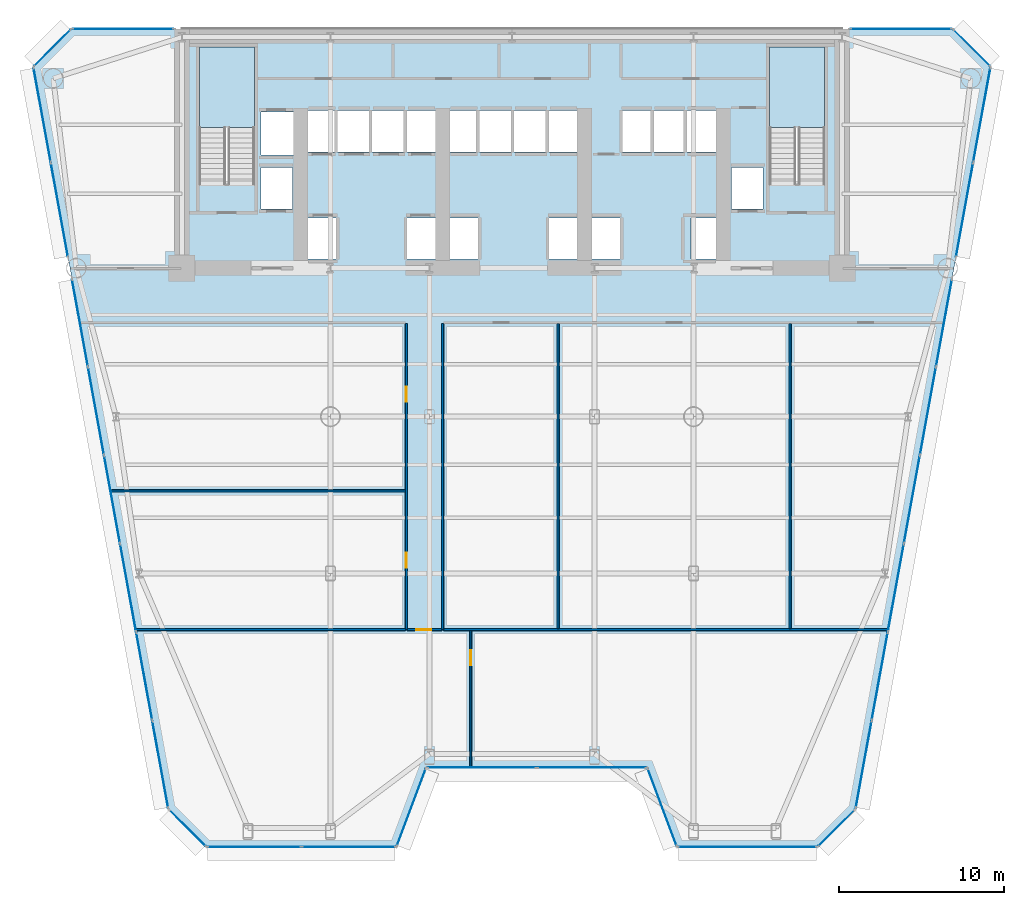
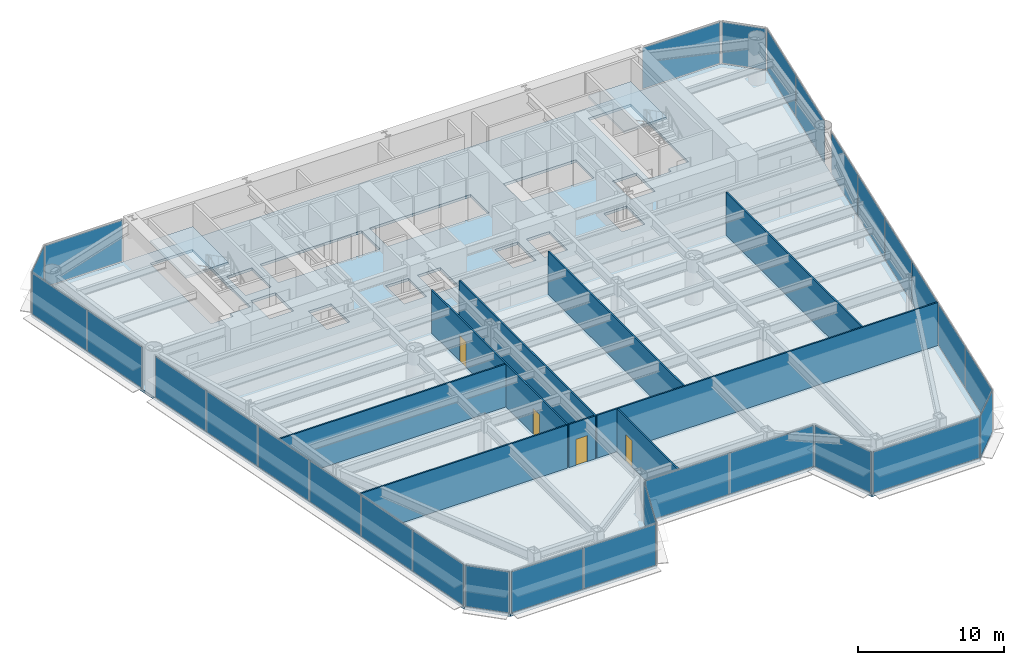
# One storey, part 7 of 14: 29 plates, 9 walls, 4 doors, 3 slabs, 4 openings, 17 elements without a shape of their own.
"""IFC4 building model written with IfcOpenShell, lengths in metres."""

from ifc_helpers import new_model, si_unit, direction, frame, frame_2d, origin, origin_2d, place, context, subcontext, project, spatial, polyline, rectangle, outline, extrude, source, transform, mapped, material, layer, layer_set, type_object, element, fill, aggregate, save


model = new_model("IFC4")

# Units and contexts
model_context = context("Model", 3, precision=1e-05, world=origin(), true_north=direction((0.0, 1.0)))
body_context = subcontext(model_context, "Body", "Model", "MODEL_VIEW")
ifc_project = project(units=[si_unit("LENGTHUNIT", "METRE"), si_unit("AREAUNIT", "SQUARE_METRE"), si_unit("VOLUMEUNIT", "CUBIC_METRE"), si_unit("PLANEANGLEUNIT", "RADIAN"), si_unit("MASSUNIT", "GRAM", prefix="KILO")], contexts=[model_context])

# Site, building, storey
site_placement = place(None, origin())
site = spatial("IfcSite", under=ifc_project, at=site_placement, CompositionType="ELEMENT")
building_placement = place(site_placement, origin())
building = spatial("IfcBuilding", under=site, at=building_placement, Name="Vaeldorn Concourse Tower", CompositionType="ELEMENT")
storey_placement = place(building_placement, frame((0.0, 0.0, 41.60009765625)))
storey = spatial("IfcBuildingStorey", under=building, at=storey_placement, Name="L10", CompositionType="ELEMENT", Elevation=41.60009765625)

# Stair, slab
ifc_material_1 = material(Name="Precast concrete C40/50", Category="concrete")
stair_type = type_object("IfcStairType", Name="STR-DOG-24x158", PredefinedType="HALF_TURN_STAIR", material=ifc_material_1)
stair_1_placement = place(storey_placement, origin())
stair_1 = element("IfcStair", 1, at=stair_1_placement, inside=storey, type_object=stair_type, Name="L10 West Core Exit Stair ST-1", PredefinedType="HALF_TURN_STAIR")
ifc_material_2 = material(Name="Concrete C40/50", Category="concrete")
ifc_layer_1 = layer(ifc_material_2, 0.199951171875)
ifc_layer_set_1 = layer_set([ifc_layer_1], Name="Concrete C40/50")
slab_type_1 = type_object("IfcSlabType", Name="SL-STAIR-LANDING", PredefinedType="LANDING", material=ifc_layer_set_1)
slab_1_placement = place(storey_placement, frame((0.0, 0.0, 1.699951171875)))
slab_1 = element("IfcSlab", 2, at=slab_1_placement, type_object=slab_type_1, Name="ST-1 landing 1", PredefinedType="LANDING", context=body_context, shape_type="SweptSolid", body=[
    extrude(outline(polyline([(18.39990234375, 45.010009765625), (18.39990234375, 49.89990234375), (15.050048828125, 49.89990234375), (15.050048828125, 45.010009765625), (18.39990234375, 45.010009765625)])), origin(), (0.0, 0.0, 1.0), 0.199951171875),
])
aggregate(stair_1, [slab_1])

stair_2_placement = place(storey_placement, origin())
stair_2 = element("IfcStair", 3, at=stair_2_placement, inside=storey, type_object=stair_type, Name="L10 East Core Exit Stair ST-2", PredefinedType="HALF_TURN_STAIR")
slab_2_placement = place(storey_placement, frame((0.0, 0.0, 1.699951171875)))
slab_2 = element("IfcSlab", 4, at=slab_2_placement, type_object=slab_type_1, Name="ST-2 landing 1", PredefinedType="LANDING", context=body_context, shape_type="SweptSolid", body=[
    extrude(outline(polyline([(52.949951171875, 45.010009765625), (52.949951171875, 49.89990234375), (49.60009765625, 49.89990234375), (49.60009765625, 45.010009765625), (52.949951171875, 45.010009765625)])), origin(), (0.0, 0.0, 1.0), 0.199951171875),
])
aggregate(stair_2, [slab_2])

# Slab
ifc_layer_2 = layer(ifc_material_2, 0.219970703125)
ifc_layer_set_2 = layer_set([ifc_layer_2], Name="Concrete C40/50")
slab_type_2 = type_object("IfcSlabType", Name="SL-TYP-220", PredefinedType="FLOOR", material=ifc_layer_set_2)
slab_3_placement = place(storey_placement, frame((0.0, 0.0, -0.22021484375)))
element("IfcSlab", 5, at=slab_3_placement, inside=storey, type_object=slab_type_2, Name="Structural Floor Slab L10", PredefinedType="FLOOR", context=body_context, shape_type="SweptSolid", body=[
    extrude(outline(polyline([(15.478271484375, 1.4345703125), (27.0, 1.4345703125), (28.800048828125, 6.234619140625), (42.199951171875, 6.234619140625), (44.0, 1.4345703125), (52.521728515625, 1.4345703125), (54.82177734375, 3.734619140625), (63.0, 48.699951171875), (60.699951171875, 51.0), (7.300048828125, 51.0), (5.0, 48.699951171875), (13.17822265625, 3.734619140625), (15.478271484375, 1.4345703125)]), holes=[polyline([(18.39990234375, 42.0), (18.39990234375, 49.89990234375), (15.050048828125, 49.89990234375), (15.050048828125, 41.60009765625), (16.800048828125, 41.60009765625), (16.800048828125, 42.0), (18.39990234375, 42.0)]), polyline([(52.949951171875, 42.0), (52.949951171875, 49.89990234375), (49.60009765625, 49.89990234375), (49.60009765625, 41.60009765625), (51.35009765625, 41.60009765625), (51.35009765625, 42.0), (52.949951171875, 42.0)]), polyline([(21.550048828125, 37.050048828125), (23.35009765625, 37.050048828125), (23.35009765625, 39.550048828125), (21.550048828125, 39.550048828125), (21.550048828125, 37.050048828125)]), polyline([(27.64990234375, 37.050048828125), (29.449951171875, 37.050048828125), (29.449951171875, 39.550048828125), (27.64990234375, 39.550048828125), (27.64990234375, 37.050048828125)]), polyline([(21.5, 43.550048828125), (29.5, 43.550048828125), (29.5, 46.050048828125), (21.5, 46.050048828125), (21.5, 43.550048828125)]), polyline([(30.14990234375, 37.050048828125), (31.949951171875, 37.050048828125), (31.949951171875, 39.550048828125), (30.14990234375, 39.550048828125), (30.14990234375, 37.050048828125)]), polyline([(36.25, 37.050048828125), (38.050048828125, 37.050048828125), (38.050048828125, 39.550048828125), (36.25, 39.550048828125), (36.25, 37.050048828125)]), polyline([(30.10009765625, 43.550048828125), (38.10009765625, 43.550048828125), (38.10009765625, 46.050048828125), (30.10009765625, 46.050048828125), (30.10009765625, 43.550048828125)]), polyline([(38.75, 37.050048828125), (40.550048828125, 37.050048828125), (40.550048828125, 39.550048828125), (38.75, 39.550048828125), (38.75, 37.050048828125)]), polyline([(44.85009765625, 37.050048828125), (46.64990234375, 37.050048828125), (46.64990234375, 39.550048828125), (44.85009765625, 39.550048828125), (44.85009765625, 37.050048828125)]), polyline([(40.699951171875, 43.550048828125), (46.39990234375, 43.550048828125), (46.39990234375, 46.050048828125), (40.699951171875, 46.050048828125), (40.699951171875, 43.550048828125)]), polyline([(18.800048828125, 43.35009765625), (20.800048828125, 43.35009765625), (20.800048828125, 45.949951171875), (18.800048828125, 45.949951171875), (18.800048828125, 43.35009765625)]), polyline([(18.800048828125, 40.10009765625), (20.699951171875, 40.10009765625), (20.699951171875, 42.60009765625), (18.800048828125, 42.60009765625), (18.800048828125, 40.10009765625)]), polyline([(47.300048828125, 40.10009765625), (49.199951171875, 40.10009765625), (49.199951171875, 42.60009765625), (47.300048828125, 42.60009765625), (47.300048828125, 40.10009765625)])]), origin(), (0.0, 0.0, 1.0), 0.22021484375),
])

# Curtain wall, plate
ifc_material_3 = material(Name="Anodised Bronze Aluminium", Category="aluminium")
ifc_layer_3 = layer(ifc_material_3, 0.219970703125)
ifc_layer_set_3 = layer_set([ifc_layer_3], Name="Anodised Bronze Aluminium")
curtain_wall_type = type_object("IfcCurtainWallType", Name="CW-SYS-01", PredefinedType="NOTDEFINED", material=ifc_layer_set_3)
curtain_wall_1_placement = place(storey_placement, origin())
curtain_wall_1 = element("IfcCurtainWall", 6, at=curtain_wall_1_placement, inside=storey, type_object=curtain_wall_type, Name="Unitised Curtain Wall CW-L10-E02-1", PredefinedType="NOTDEFINED")
ifc_material_4 = material(Name="Bronze Tinted Low-E Insulated Glass", Category="glass")
ifc_layer_4 = layer(ifc_material_4, 0.031982421875)
ifc_layer_set_4 = layer_set([ifc_layer_4], Name="Bronze Tinted Low-E Insulated Glass")
plate_type = type_object("IfcPlateType", Name="CWP-VISION-32", PredefinedType="CURTAIN_PANEL", material=ifc_layer_set_4)
shared_shape_1 = source(origin(), body_context, "Body", "SweptSolid", [
    extrude(rectangle(XDim=4.976318359375, YDim=0.031982421875, at=origin_2d()), origin(), (0.0, 0.0, 1.0), 3.429931640625),
])
plate_1_placement = place(storey_placement, frame((27.89990234375, 3.83447265625, 0.07470703125), z_axis=(0.0, 0.0, 1.0), x_axis=(0.351123441595, 0.936329177566, 0.0)))
plate_1 = element("IfcPlate", 7, at=plate_1_placement, type_object=plate_type, Name="CW-01 panel 1.1", PredefinedType="CURTAIN_PANEL", context=body_context, shape_type="MappedRepresentation", body=[
    mapped(shared_shape_1, transform((0.0, 0.0, 0.0), scale=1.0)),
])
aggregate(curtain_wall_1, [plate_1])

curtain_wall_2_placement = place(storey_placement, origin())
curtain_wall_2 = element("IfcCurtainWall", 8, at=curtain_wall_2_placement, inside=storey, type_object=curtain_wall_type, Name="Unitised Curtain Wall CW-L10-E04-1", PredefinedType="NOTDEFINED")
plate_2_placement = place(storey_placement, frame((43.10009765625, 3.83447265625, 0.07470703125), z_axis=(0.0, 0.0, 1.0), x_axis=(0.351123441595, -0.936329177566, 0.0)))
plate_2 = element("IfcPlate", 9, at=plate_2_placement, type_object=plate_type, Name="CW-01 panel 1.1", PredefinedType="CURTAIN_PANEL", context=body_context, shape_type="MappedRepresentation", body=[
    mapped(shared_shape_1, transform((0.0, 0.0, 0.0), scale=1.0)),
])
aggregate(curtain_wall_2, [plate_2])

# Curtain wall, plates
curtain_wall_3_placement = place(storey_placement, origin())
curtain_wall_3 = element("IfcCurtainWall", 10, at=curtain_wall_3_placement, inside=storey, type_object=curtain_wall_type, Name="Unitised Curtain Wall CW-L10-E03-1", PredefinedType="NOTDEFINED")
shared_shape_2 = source(origin(), body_context, "Body", "SweptSolid", [
    extrude(rectangle(XDim=6.58740234375, YDim=0.031982421875, at=origin_2d()), origin(), (0.0, 0.0, 1.0), 3.429931640625),
])
plate_3_placement = place(storey_placement, frame((32.168701171875, 6.234619140625, 0.07470703125), z_axis=(0.0, 0.0, 1.0), x_axis=(1.0, 0.0, 0.0)))
plate_3 = element("IfcPlate", 11, at=plate_3_placement, type_object=plate_type, Name="CW-01 panel 1.1", PredefinedType="CURTAIN_PANEL", context=body_context, shape_type="MappedRepresentation", body=[
    mapped(shared_shape_2, transform((0.0, 0.0, 0.0), scale=1.0)),
])
plate_4_placement = place(storey_placement, frame((38.831298828125, 6.234619140625, 0.07470703125), z_axis=(0.0, 0.0, 1.0), x_axis=(1.0, 0.0, 0.0)))
plate_4 = element("IfcPlate", 12, at=plate_4_placement, type_object=plate_type, Name="CW-01 panel 2.1", PredefinedType="CURTAIN_PANEL", context=body_context, shape_type="MappedRepresentation", body=[
    mapped(shared_shape_2, transform((0.0, 0.0, 0.0), scale=1.0)),
])
aggregate(curtain_wall_3, [plate_3, plate_4])

# Curtain wall, plate
curtain_wall_4_placement = place(storey_placement, origin())
curtain_wall_4 = element("IfcCurtainWall", 13, at=curtain_wall_4_placement, inside=storey, type_object=curtain_wall_type, Name="Unitised Curtain Wall CW-L10-E06-1", PredefinedType="NOTDEFINED")
shared_shape_3 = source(origin(), body_context, "Body", "SweptSolid", [
    extrude(rectangle(XDim=3.102783203125, YDim=0.031982421875, at=origin_2d()), origin(), (0.0, 0.0, 1.0), 3.429931640625),
])
plate_5_placement = place(storey_placement, frame((53.671630859375, 2.58447265625, 0.07470703125), z_axis=(0.0, 0.0, 1.0), x_axis=(0.707106781187, 0.707106781187, 0.0)))
plate_5 = element("IfcPlate", 14, at=plate_5_placement, type_object=plate_type, Name="CW-01 panel 1.1", PredefinedType="CURTAIN_PANEL", context=body_context, shape_type="MappedRepresentation", body=[
    mapped(shared_shape_3, transform((0.0, 0.0, 0.0), scale=1.0)),
])
aggregate(curtain_wall_4, [plate_5])

curtain_wall_5_placement = place(storey_placement, origin())
curtain_wall_5 = element("IfcCurtainWall", 15, at=curtain_wall_5_placement, inside=storey, type_object=curtain_wall_type, Name="Unitised Curtain Wall CW-L10-E08-1", PredefinedType="NOTDEFINED")
plate_6_placement = place(storey_placement, frame((61.85009765625, 49.85009765625, 0.07470703125), z_axis=(0.0, 0.0, 1.0), x_axis=(-0.707106781187, 0.707106781187, 0.0)))
plate_6 = element("IfcPlate", 16, at=plate_6_placement, type_object=plate_type, Name="CW-01 panel 1.1", PredefinedType="CURTAIN_PANEL", context=body_context, shape_type="MappedRepresentation", body=[
    mapped(shared_shape_3, transform((0.0, 0.0, 0.0), scale=1.0)),
])
aggregate(curtain_wall_5, [plate_6])

curtain_wall_6_placement = place(storey_placement, origin())
curtain_wall_6 = element("IfcCurtainWall", 17, at=curtain_wall_6_placement, inside=storey, type_object=curtain_wall_type, Name="Unitised Curtain Wall CW-L10-E10-1", PredefinedType="NOTDEFINED")
plate_7_placement = place(storey_placement, frame((6.14990234375, 49.85009765625, 0.07470703125), z_axis=(0.0, 0.0, 1.0), x_axis=(-0.707106781187, -0.707106781187, 0.0)))
plate_7 = element("IfcPlate", 18, at=plate_7_placement, type_object=plate_type, Name="CW-01 panel 1.1", PredefinedType="CURTAIN_PANEL", context=body_context, shape_type="MappedRepresentation", body=[
    mapped(shared_shape_3, transform((0.0, 0.0, 0.0), scale=1.0)),
])
aggregate(curtain_wall_6, [plate_7])

curtain_wall_7_placement = place(storey_placement, origin())
curtain_wall_7 = element("IfcCurtainWall", 19, at=curtain_wall_7_placement, inside=storey, type_object=curtain_wall_type, Name="Unitised Curtain Wall CW-L10-E12-1", PredefinedType="NOTDEFINED")
plate_8_placement = place(storey_placement, frame((14.328369140625, 2.58447265625, 0.07470703125), z_axis=(0.0, 0.0, 1.0), x_axis=(0.707106781187, -0.707106781187, 0.0)))
plate_8 = element("IfcPlate", 20, at=plate_8_placement, type_object=plate_type, Name="CW-01 panel 1.1", PredefinedType="CURTAIN_PANEL", context=body_context, shape_type="MappedRepresentation", body=[
    mapped(shared_shape_3, transform((0.0, 0.0, 0.0), scale=1.0)),
])
aggregate(curtain_wall_7, [plate_8])

curtain_wall_8_placement = place(storey_placement, origin())
curtain_wall_8 = element("IfcCurtainWall", 21, at=curtain_wall_8_placement, inside=storey, type_object=curtain_wall_type, Name="Unitised Curtain Wall CW-L10-E09-1", PredefinedType="NOTDEFINED")
shared_shape_4 = source(origin(), body_context, "Body", "SweptSolid", [
    extrude(rectangle(XDim=6.10498046875, YDim=0.031982421875, at=origin_2d()), origin(), (0.0, 0.0, 1.0), 3.429931640625),
])
plate_9_placement = place(storey_placement, frame((57.572509765625, 51.0, 0.07470703125), z_axis=(0.0, 0.0, 1.0), x_axis=(-1.0, 0.0, 0.0)))
plate_9 = element("IfcPlate", 22, at=plate_9_placement, type_object=plate_type, Name="CW-01 panel 1.1", PredefinedType="CURTAIN_PANEL", context=body_context, shape_type="MappedRepresentation", body=[
    mapped(shared_shape_4, transform((0.0, 0.0, 0.0), scale=1.0)),
])
aggregate(curtain_wall_8, [plate_9])

curtain_wall_9_placement = place(storey_placement, origin())
curtain_wall_9 = element("IfcCurtainWall", 23, at=curtain_wall_9_placement, inside=storey, type_object=curtain_wall_type, Name="Unitised Curtain Wall CW-L10-E09-2", PredefinedType="NOTDEFINED")
plate_10_placement = place(storey_placement, frame((10.427490234375, 51.0, 0.07470703125), z_axis=(0.0, 0.0, 1.0), x_axis=(-1.0, 0.0, 0.0)))
plate_10 = element("IfcPlate", 24, at=plate_10_placement, type_object=plate_type, Name="CW-01 panel 1.1", PredefinedType="CURTAIN_PANEL", context=body_context, shape_type="MappedRepresentation", body=[
    mapped(shared_shape_4, transform((0.0, 0.0, 0.0), scale=1.0)),
])
aggregate(curtain_wall_9, [plate_10])

# Curtain wall, plates
curtain_wall_10_placement = place(storey_placement, origin())
curtain_wall_10 = element("IfcCurtainWall", 25, at=curtain_wall_10_placement, inside=storey, type_object=curtain_wall_type, Name="Unitised Curtain Wall CW-L10-E07-2", PredefinedType="NOTDEFINED")
shared_shape_5 = source(origin(), body_context, "Body", "SweptSolid", [
    extrude(rectangle(XDim=5.772705078125, YDim=0.031982421875, at=origin_2d()), origin(), (0.0, 0.0, 1.0), 3.429931640625),
])
plate_11_placement = place(storey_placement, frame((61.423583984375, 40.032958984375, 0.07470703125), z_axis=(0.0, 0.0, 1.0), x_axis=(0.178947491334, 0.98385862569, 0.0)))
plate_11 = element("IfcPlate", 26, at=plate_11_placement, type_object=plate_type, Name="CW-01 panel 1.1", PredefinedType="CURTAIN_PANEL", context=body_context, shape_type="MappedRepresentation", body=[
    mapped(shared_shape_5, transform((0.0, 0.0, 0.0), scale=1.0)),
])
plate_12_placement = place(storey_placement, frame((62.469970703125, 45.786376953125, 0.07470703125), z_axis=(0.0, 0.0, 1.0), x_axis=(0.178947491334, 0.98385862569, 0.0)))
plate_12 = element("IfcPlate", 27, at=plate_12_placement, type_object=plate_type, Name="CW-01 panel 2.1", PredefinedType="CURTAIN_PANEL", context=body_context, shape_type="MappedRepresentation", body=[
    mapped(shared_shape_5, transform((0.0, 0.0, 0.0), scale=1.0)),
])
aggregate(curtain_wall_10, [plate_11, plate_12])

curtain_wall_11_placement = place(storey_placement, origin())
curtain_wall_11 = element("IfcCurtainWall", 28, at=curtain_wall_11_placement, inside=storey, type_object=curtain_wall_type, Name="Unitised Curtain Wall CW-L10-E11-1", PredefinedType="NOTDEFINED")
plate_13_placement = place(storey_placement, frame((5.530029296875, 45.786376953125, 0.07470703125), z_axis=(0.0, 0.0, 1.0), x_axis=(0.178947491334, -0.98385862569, 0.0)))
plate_13 = element("IfcPlate", 29, at=plate_13_placement, type_object=plate_type, Name="CW-01 panel 1.1", PredefinedType="CURTAIN_PANEL", context=body_context, shape_type="MappedRepresentation", body=[
    mapped(shared_shape_5, transform((0.0, 0.0, 0.0), scale=1.0)),
])
plate_14_placement = place(storey_placement, frame((6.576416015625, 40.032958984375, 0.07470703125), z_axis=(0.0, 0.0, 1.0), x_axis=(0.178947491334, -0.98385862569, 0.0)))
plate_14 = element("IfcPlate", 30, at=plate_14_placement, type_object=plate_type, Name="CW-01 panel 2.1", PredefinedType="CURTAIN_PANEL", context=body_context, shape_type="MappedRepresentation", body=[
    mapped(shared_shape_5, transform((0.0, 0.0, 0.0), scale=1.0)),
])
aggregate(curtain_wall_11, [plate_13, plate_14])

curtain_wall_12_placement = place(storey_placement, origin())
curtain_wall_12 = element("IfcCurtainWall", 31, at=curtain_wall_12_placement, inside=storey, type_object=curtain_wall_type, Name="Unitised Curtain Wall CW-L10-E01-1", PredefinedType="NOTDEFINED")
shared_shape_6 = source(origin(), body_context, "Body", "SweptSolid", [
    extrude(rectangle(XDim=5.6484375, YDim=0.031982421875, at=origin_2d()), origin(), (0.0, 0.0, 1.0), 3.429931640625),
])
plate_15_placement = place(storey_placement, frame((18.37744140625, 1.4345703125, 0.07470703125), z_axis=(0.0, 0.0, 1.0), x_axis=(1.0, 0.0, 0.0)))
plate_15 = element("IfcPlate", 32, at=plate_15_placement, type_object=plate_type, Name="CW-01 panel 1.1", PredefinedType="CURTAIN_PANEL", context=body_context, shape_type="MappedRepresentation", body=[
    mapped(shared_shape_6, transform((0.0, 0.0, 0.0), scale=1.0)),
])
plate_16_placement = place(storey_placement, frame((24.100830078125, 1.4345703125, 0.07470703125), z_axis=(0.0, 0.0, 1.0), x_axis=(1.0, 0.0, 0.0)))
plate_16 = element("IfcPlate", 33, at=plate_16_placement, type_object=plate_type, Name="CW-01 panel 2.1", PredefinedType="CURTAIN_PANEL", context=body_context, shape_type="MappedRepresentation", body=[
    mapped(shared_shape_6, transform((0.0, 0.0, 0.0), scale=1.0)),
])
aggregate(curtain_wall_12, [plate_15, plate_16])

# Curtain wall, plate
curtain_wall_13_placement = place(storey_placement, origin())
curtain_wall_13 = element("IfcCurtainWall", 34, at=curtain_wall_13_placement, inside=storey, type_object=curtain_wall_type, Name="Unitised Curtain Wall CW-L10-E05-1", PredefinedType="NOTDEFINED")
shared_shape_7 = source(origin(), body_context, "Body", "SweptSolid", [
    extrude(rectangle(XDim=8.37158203125, YDim=0.031982421875, at=origin_2d()), origin(), (0.0, 0.0, 1.0), 3.429931640625),
])
plate_17_placement = place(storey_placement, frame((48.2607421875, 1.4345703125, 0.07470703125), z_axis=(0.0, 0.0, 1.0), x_axis=(1.0, 0.0, 0.0)))
plate_17 = element("IfcPlate", 35, at=plate_17_placement, type_object=plate_type, Name="CW-01 panel 1.1", PredefinedType="CURTAIN_PANEL", context=body_context, shape_type="MappedRepresentation", body=[
    mapped(shared_shape_7, transform((0.0, 0.0, 0.0), scale=1.0)),
])
aggregate(curtain_wall_13, [plate_17])

# Curtain wall, plates
curtain_wall_14_placement = place(storey_placement, origin())
curtain_wall_14 = element("IfcCurtainWall", 36, at=curtain_wall_14_placement, inside=storey, type_object=curtain_wall_type, Name="Unitised Curtain Wall CW-L10-E07-1", PredefinedType="NOTDEFINED")
shared_shape_8 = source(origin(), body_context, "Body", "SweptSolid", [
    extrude(rectangle(XDim=5.3330078125, YDim=0.031982421875, at=origin_2d()), origin(), (0.0, 0.0, 1.0), 3.429931640625),
])
plate_18_placement = place(storey_placement, frame((55.312255859375, 6.431884765625, 0.07470703125), z_axis=(0.0, 0.0, 1.0), x_axis=(0.178943883036, 0.983859281973, 0.0)))
plate_18 = element("IfcPlate", 37, at=plate_18_placement, type_object=plate_type, Name="CW-01 panel 1.1", PredefinedType="CURTAIN_PANEL", context=body_context, shape_type="MappedRepresentation", body=[
    mapped(shared_shape_8, transform((0.0, 0.0, 0.0), scale=1.0)),
])
plate_19_placement = place(storey_placement, frame((60.177734375, 33.18310546875, 0.07470703125), z_axis=(0.0, 0.0, 1.0), x_axis=(0.178943883036, 0.983859281973, 0.0)))
plate_19 = element("IfcPlate", 38, at=plate_19_placement, type_object=plate_type, Name="CW-01 panel 6.1", PredefinedType="CURTAIN_PANEL", context=body_context, shape_type="MappedRepresentation", body=[
    mapped(shared_shape_8, transform((0.0, 0.0, 0.0), scale=1.0)),
])

curtain_wall_15_placement = place(storey_placement, origin())
curtain_wall_15 = element("IfcCurtainWall", 39, at=curtain_wall_15_placement, inside=storey, type_object=curtain_wall_type, Name="Unitised Curtain Wall CW-L10-E11-2", PredefinedType="NOTDEFINED")
plate_20_placement = place(storey_placement, frame((7.822265625, 33.18310546875, 0.07470703125), z_axis=(0.0, 0.0, 1.0), x_axis=(0.178943883036, -0.983859281973, 0.0)))
plate_20 = element("IfcPlate", 40, at=plate_20_placement, type_object=plate_type, Name="CW-01 panel 1.1", PredefinedType="CURTAIN_PANEL", context=body_context, shape_type="MappedRepresentation", body=[
    mapped(shared_shape_8, transform((0.0, 0.0, 0.0), scale=1.0)),
])
plate_21_placement = place(storey_placement, frame((12.687744140625, 6.431884765625, 0.07470703125), z_axis=(0.0, 0.0, 1.0), x_axis=(0.178943883036, -0.983859281973, 0.0)))
plate_21 = element("IfcPlate", 41, at=plate_21_placement, type_object=plate_type, Name="CW-01 panel 6.1", PredefinedType="CURTAIN_PANEL", context=body_context, shape_type="MappedRepresentation", body=[
    mapped(shared_shape_8, transform((0.0, 0.0, 0.0), scale=1.0)),
])

# Plate
shared_shape_9 = source(origin(), body_context, "Body", "SweptSolid", [
    extrude(rectangle(XDim=5.37060546875, YDim=0.031982421875, at=origin_2d()), origin(), (0.0, 0.0, 1.0), 3.429931640625),
])
plate_22_placement = place(storey_placement, frame((56.283447265625, 11.77099609375, 0.07470703125), z_axis=(0.0, 0.0, 1.0), x_axis=(0.178943883036, 0.983859281973, 0.0)))
plate_22 = element("IfcPlate", 42, at=plate_22_placement, type_object=plate_type, Name="CW-01 panel 2.1", PredefinedType="CURTAIN_PANEL", context=body_context, shape_type="MappedRepresentation", body=[
    mapped(shared_shape_9, transform((0.0, 0.0, 0.0), scale=1.0)),
])

plate_23_placement = place(storey_placement, frame((57.2578125, 17.128662109375, 0.07470703125), z_axis=(0.0, 0.0, 1.0), x_axis=(0.178943883036, 0.983859281973, 0.0)))
plate_23 = element("IfcPlate", 43, at=plate_23_placement, type_object=plate_type, Name="CW-01 panel 3.1", PredefinedType="CURTAIN_PANEL", context=body_context, shape_type="MappedRepresentation", body=[
    mapped(shared_shape_9, transform((0.0, 0.0, 0.0), scale=1.0)),
])

plate_24_placement = place(storey_placement, frame((58.232177734375, 22.486328125, 0.07470703125), z_axis=(0.0, 0.0, 1.0), x_axis=(0.178943883036, 0.983859281973, 0.0)))
plate_24 = element("IfcPlate", 44, at=plate_24_placement, type_object=plate_type, Name="CW-01 panel 4.1", PredefinedType="CURTAIN_PANEL", context=body_context, shape_type="MappedRepresentation", body=[
    mapped(shared_shape_9, transform((0.0, 0.0, 0.0), scale=1.0)),
])

plate_25_placement = place(storey_placement, frame((59.206787109375, 27.843994140625, 0.07470703125), z_axis=(0.0, 0.0, 1.0), x_axis=(0.178943883036, 0.983859281973, 0.0)))
plate_25 = element("IfcPlate", 45, at=plate_25_placement, type_object=plate_type, Name="CW-01 panel 5.1", PredefinedType="CURTAIN_PANEL", context=body_context, shape_type="MappedRepresentation", body=[
    mapped(shared_shape_9, transform((0.0, 0.0, 0.0), scale=1.0)),
])

aggregate(curtain_wall_14, [plate_18, plate_22, plate_23, plate_24, plate_25, plate_19])

plate_26_placement = place(storey_placement, frame((8.793212890625, 27.843994140625, 0.07470703125), z_axis=(0.0, 0.0, 1.0), x_axis=(0.178943883036, -0.983859281973, 0.0)))
plate_26 = element("IfcPlate", 46, at=plate_26_placement, type_object=plate_type, Name="CW-01 panel 2.1", PredefinedType="CURTAIN_PANEL", context=body_context, shape_type="MappedRepresentation", body=[
    mapped(shared_shape_9, transform((0.0, 0.0, 0.0), scale=1.0)),
])

plate_27_placement = place(storey_placement, frame((9.767822265625, 22.486328125, 0.07470703125), z_axis=(0.0, 0.0, 1.0), x_axis=(0.178943883036, -0.983859281973, 0.0)))
plate_27 = element("IfcPlate", 47, at=plate_27_placement, type_object=plate_type, Name="CW-01 panel 3.1", PredefinedType="CURTAIN_PANEL", context=body_context, shape_type="MappedRepresentation", body=[
    mapped(shared_shape_9, transform((0.0, 0.0, 0.0), scale=1.0)),
])

plate_28_placement = place(storey_placement, frame((10.7421875, 17.128662109375, 0.07470703125), z_axis=(0.0, 0.0, 1.0), x_axis=(0.178943883036, -0.983859281973, 0.0)))
plate_28 = element("IfcPlate", 48, at=plate_28_placement, type_object=plate_type, Name="CW-01 panel 4.1", PredefinedType="CURTAIN_PANEL", context=body_context, shape_type="MappedRepresentation", body=[
    mapped(shared_shape_9, transform((0.0, 0.0, 0.0), scale=1.0)),
])

plate_29_placement = place(storey_placement, frame((11.716552734375, 11.77099609375, 0.07470703125), z_axis=(0.0, 0.0, 1.0), x_axis=(0.178943883036, -0.983859281973, 0.0)))
plate_29 = element("IfcPlate", 49, at=plate_29_placement, type_object=plate_type, Name="CW-01 panel 5.1", PredefinedType="CURTAIN_PANEL", context=body_context, shape_type="MappedRepresentation", body=[
    mapped(shared_shape_9, transform((0.0, 0.0, 0.0), scale=1.0)),
])

aggregate(curtain_wall_15, [plate_20, plate_26, plate_27, plate_28, plate_29, plate_21])

# Wall, openings, doors
ifc_material_5 = material(Name="Gypsum Board Partition", Category="gypsum")
ifc_layer_5 = layer(ifc_material_5, 0.1201171875)
ifc_layer_set_5 = layer_set([ifc_layer_5], Name="Gypsum Board Partition")
wall_type = type_object("IfcWallType", Name="WL-PART-120", PredefinedType="PARTITIONING", material=ifc_layer_set_5)
wall_1_placement = place(storey_placement, frame((27.60009765625, 14.60009765625, 0.0), z_axis=(0.0, 0.0, 1.0), x_axis=(0.0, 1.0, 0.0)))
wall_1 = element("IfcWall", 50, at=wall_1_placement, inside=storey, type_object=wall_type, Name="Interior Wall PW-L10-SP2W", PredefinedType="PARTITIONING", context=body_context, shape_type="SweptSolid", body=[
    extrude(rectangle(XDim=18.539794921875, YDim=0.1201171875, at=frame_2d((9.27001953125, 0.0))), origin(), (0.0, 0.0, 1.0), 3.579833984375),
])
opening_1_placement = place(wall_1_placement, frame((3.75, 0.0, 0.0)))
opening_1 = element("IfcOpeningElement", 51, at=opening_1_placement, cuts=wall_1, Name="Opening D-03", PredefinedType="OPENING", context=body_context, shape_type="SweptSolid", body=[
    extrude(rectangle(XDim=0.89990234375, YDim=2.14990234375, at=frame_2d((0.449951171875, 1.074951171875))), frame((0.0, 0.070068359375, 0.0), z_axis=(0.0, -1.0, 0.0), x_axis=(1.0, 0.0, 0.0)), (0.0, 0.0, 1.0), 0.14013671875),
])
opening_2_placement = place(wall_1_placement, frame((13.800048828125, 0.0, 0.0)))
opening_2 = element("IfcOpeningElement", 52, at=opening_2_placement, cuts=wall_1, Name="Opening D-03", PredefinedType="OPENING", context=body_context, shape_type="SweptSolid", body=[
    extrude(rectangle(XDim=0.89990234375, YDim=2.14990234375, at=frame_2d((0.449951171875, 1.074951171875))), frame((0.0, 0.070068359375, 0.0), z_axis=(0.0, -1.0, 0.0), x_axis=(1.0, 0.0, 0.0)), (0.0, 0.0, 1.0), 0.14013671875),
])
ifc_material_6 = material(Name="Acoustic Bronze-Framed Glass Door", Category="glass")
door_type = type_object("IfcDoorType", Name="DR-INT-900", OperationType="NOTDEFINED", PredefinedType="DOOR", material=ifc_material_6)
shared_shape_10 = source(origin(), body_context, "Body", "SweptSolid", [
    extrude(rectangle(XDim=0.89990234375, YDim=2.14990234375, at=frame_2d((0.449951171875, 1.074951171875))), frame((0.0, 0.02490234375, 0.0), z_axis=(0.0, -1.0, 0.0), x_axis=(1.0, 0.0, 0.0)), (0.0, 0.0, 1.0), 0.050048828125),
])
door_1_placement = place(opening_1_placement, origin())
door_1 = element("IfcDoor", 53, at=door_1_placement, inside=storey, type_object=door_type, Name="Interior Door DR-L10-Z2W1", OperationType="SINGLE_SWING_LEFT", OverallHeight=2.14990234375, OverallWidth=0.89990234375, PredefinedType="DOOR", context=body_context, shape_type="MappedRepresentation", body=[
    mapped(shared_shape_10, transform((0.0, 0.0, 0.0), scale=1.0)),
])
fill(opening_1, door_1)
door_2_placement = place(opening_2_placement, origin())
door_2 = element("IfcDoor", 54, at=door_2_placement, inside=storey, type_object=door_type, Name="Interior Door DR-L10-Z2W2", OperationType="SINGLE_SWING_RIGHT", OverallHeight=2.14990234375, OverallWidth=0.89990234375, PredefinedType="DOOR", context=body_context, shape_type="MappedRepresentation", body=[
    mapped(shared_shape_10, transform((0.0, 0.0, 0.0), scale=1.0)),
])
fill(opening_2, door_2)

# Wall
wall_2_placement = place(storey_placement, frame((29.800048828125, 14.60009765625, 0.0), z_axis=(0.0, 0.0, 1.0), x_axis=(0.0, 1.0, 0.0)))
element("IfcWall", 55, at=wall_2_placement, inside=storey, type_object=wall_type, Name="Interior Wall PW-L10-SP2E", PredefinedType="PARTITIONING", context=body_context, shape_type="SweptSolid", body=[
    extrude(rectangle(XDim=18.539794921875, YDim=0.1201171875, at=frame_2d((9.27001953125, 0.0))), origin(), (0.0, 0.0, 1.0), 3.579833984375),
])

# Wall, opening, door
wall_3_placement = place(storey_placement, frame((27.659912109375, 14.60009765625, 0.0), z_axis=(0.0, 0.0, 1.0), x_axis=(1.0, 0.0, 0.0)))
wall_3 = element("IfcWall", 56, at=wall_3_placement, inside=storey, type_object=wall_type, Name="Interior Wall PW-L10-SP2S", PredefinedType="PARTITIONING", context=body_context, shape_type="SweptSolid", body=[
    extrude(rectangle(XDim=2.080078125, YDim=0.1201171875, at=frame_2d((1.0400390625, 0.0))), origin(), (0.0, 0.0, 1.0), 3.579833984375),
])
opening_3_placement = place(wall_3_placement, frame((0.550048828125, 0.0, 0.0)))
opening_3 = element("IfcOpeningElement", 57, at=opening_3_placement, cuts=wall_3, Name="Opening D-03", PredefinedType="OPENING", context=body_context, shape_type="SweptSolid", body=[
    extrude(rectangle(XDim=0.89990234375, YDim=2.14990234375, at=frame_2d((0.449951171875, 1.074951171875))), frame((0.0, 0.070068359375, 0.0), z_axis=(0.0, -1.0, 0.0), x_axis=(1.0, 0.0, 0.0)), (0.0, 0.0, 1.0), 0.14013671875),
])
door_3_placement = place(opening_3_placement, origin())
door_3 = element("IfcDoor", 58, at=door_3_placement, inside=storey, type_object=door_type, Name="Interior Door DR-L10-Z2SFM", OperationType="SINGLE_SWING_LEFT", OverallHeight=2.14990234375, OverallWidth=0.89990234375, PredefinedType="DOOR", context=body_context, shape_type="MappedRepresentation", body=[
    mapped(shared_shape_10, transform((0.0, 0.0, 0.0), scale=1.0)),
])
fill(opening_3, door_3)

# Walls
wall_4_placement = place(storey_placement, frame((11.2421875, 14.60009765625, 0.0), z_axis=(0.0, 0.0, 1.0), x_axis=(1.0, 0.0, 0.0)))
element("IfcWall", 59, at=wall_4_placement, inside=storey, type_object=wall_type, Name="Interior Wall PW-L10-S2WL", PredefinedType="PARTITIONING", context=body_context, shape_type="SweptSolid", body=[
    extrude(rectangle(XDim=16.2978515625, YDim=0.1201171875, at=frame_2d((8.14892578125, 0.0))), origin(), (0.0, 0.0, 1.0), 3.579833984375),
])
wall_5_placement = place(storey_placement, frame((29.860107421875, 14.60009765625, 0.0), z_axis=(0.0, 0.0, 1.0), x_axis=(1.0, 0.0, 0.0)))
element("IfcWall", 60, at=wall_5_placement, inside=storey, type_object=wall_type, Name="Interior Wall PW-L10-S2EL", PredefinedType="PARTITIONING", context=body_context, shape_type="SweptSolid", body=[
    extrude(rectangle(XDim=26.897705078125, YDim=0.1201171875, at=frame_2d((13.44873046875, 0.0))), origin(), (0.0, 0.0, 1.0), 3.579833984375),
])

# Wall, opening, door
wall_6_placement = place(storey_placement, frame((31.5, 6.2744140625, 0.0), z_axis=(0.0, 0.0, 1.0), x_axis=(0.0, 1.0, 0.0)))
wall_6 = element("IfcWall", 61, at=wall_6_placement, inside=storey, type_object=wall_type, Name="Interior Wall PW-L10-Z2SFX1", PredefinedType="PARTITIONING", context=body_context, shape_type="SweptSolid", body=[
    extrude(rectangle(XDim=8.265625, YDim=0.1201171875, at=frame_2d((4.1328125, 0.0))), origin(), (0.0, 0.0, 1.0), 3.579833984375),
])
opening_4_placement = place(wall_6_placement, frame((6.1650390625, 0.0, 0.0)))
opening_4 = element("IfcOpeningElement", 62, at=opening_4_placement, cuts=wall_6, Name="Opening D-03", PredefinedType="OPENING", context=body_context, shape_type="SweptSolid", body=[
    extrude(rectangle(XDim=0.89990234375, YDim=2.14990234375, at=frame_2d((0.449951171875, 1.074951171875))), frame((0.0, 0.070068359375, 0.0), z_axis=(0.0, -1.0, 0.0), x_axis=(1.0, 0.0, 0.0)), (0.0, 0.0, 1.0), 0.14013671875),
])
door_4_placement = place(opening_4_placement, origin())
door_4 = element("IfcDoor", 63, at=door_4_placement, inside=storey, type_object=door_type, Name="Interior Door DR-L10-Z2SFX1", OperationType="SINGLE_SWING_RIGHT", OverallHeight=2.14990234375, OverallWidth=0.89990234375, PredefinedType="DOOR", context=body_context, shape_type="MappedRepresentation", body=[
    mapped(shared_shape_10, transform((0.0, 0.0, 0.0), scale=1.0)),
])
fill(opening_4, door_4)

# Walls
wall_7_placement = place(storey_placement, frame((9.71435546875, 23.0, 0.0), z_axis=(0.0, 0.0, 1.0), x_axis=(1.0, 0.0, 0.0)))
element("IfcWall", 64, at=wall_7_placement, inside=storey, type_object=wall_type, Name="Interior Wall PW-L10-Z2WY1", PredefinedType="PARTITIONING", context=body_context, shape_type="SweptSolid", body=[
    extrude(rectangle(XDim=17.82568359375, YDim=0.1201171875, at=frame_2d((8.912841796875, 0.0))), origin(), (0.0, 0.0, 1.0), 3.579833984375),
])
for number, where, z_axis, x_axis, name in (
    (65, (36.800048828125, 14.659912109375, 0.0), (0.0, 0.0, 1.0), (0.0, 1.0, 0.0), "Interior Wall PW-L10-Z2EX1"),
    (66, (50.85009765625, 14.659912109375, 0.0), (0.0, 0.0, 1.0), (0.0, 1.0, 0.0), "Interior Wall PW-L10-Z2EX2"),
):
    element("IfcWall", number, at=place(storey_placement, frame(where, z_axis=z_axis, x_axis=x_axis)), inside=storey, type_object=wall_type, Name=name, PredefinedType="PARTITIONING", context=body_context, shape_type="SweptSolid", body=[
        extrude(rectangle(XDim=18.47998046875, YDim=0.1201171875, at=frame_2d((9.239990234375, 0.0))), origin(), (0.0, 0.0, 1.0), 3.579833984375),
    ])

save(model, "model.ifc")
